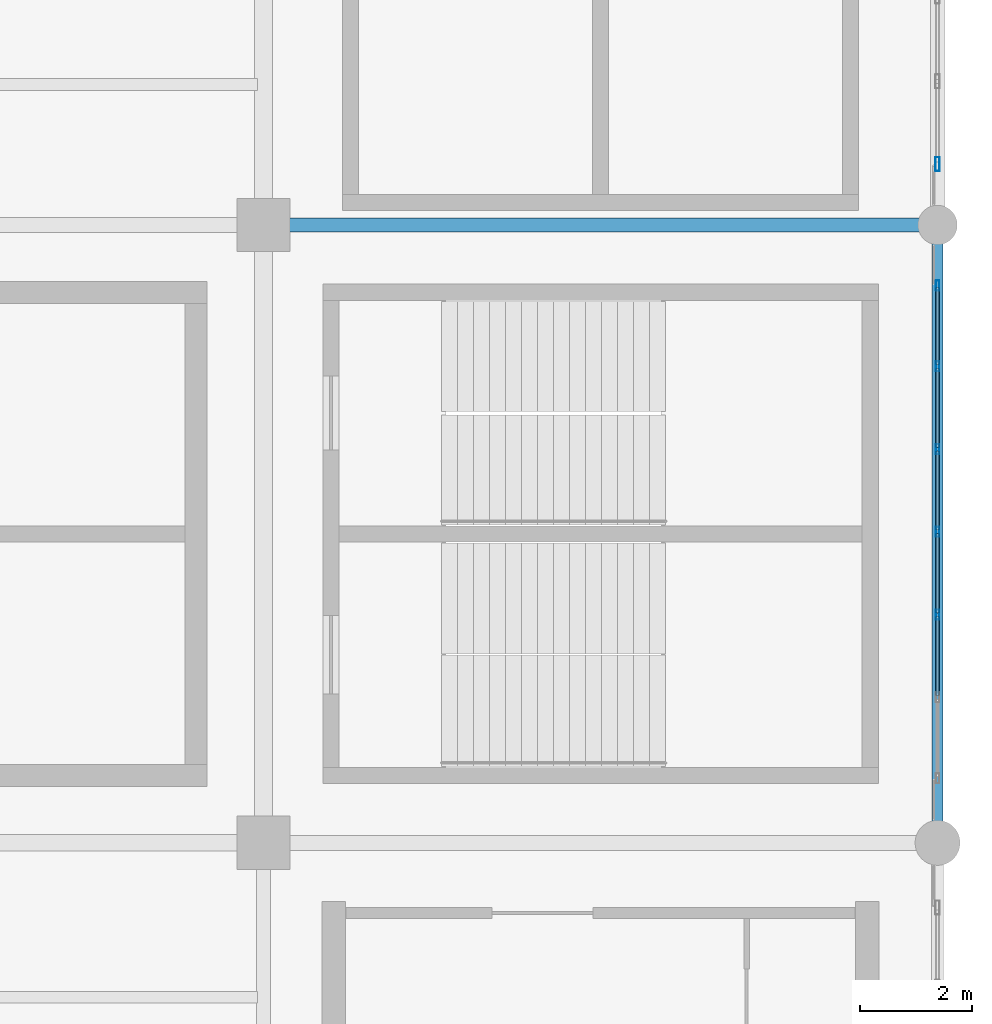
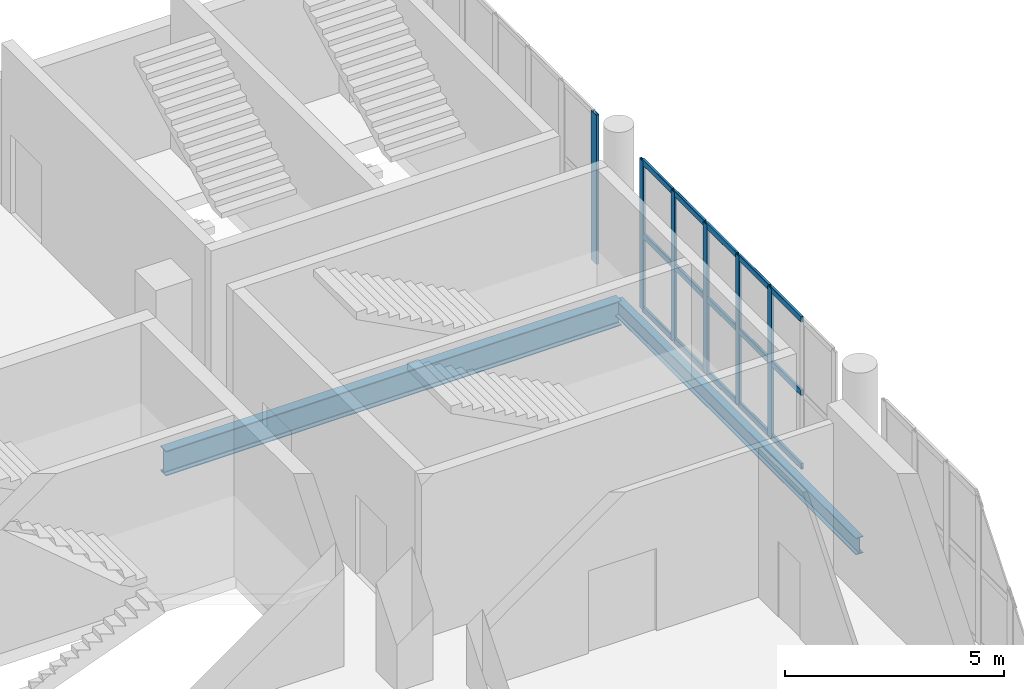
# One storey, part 48 of 90: 21 members, 2 beams, 2 elements without a shape of their own.
"""IFC4 building model written with IfcOpenShell, lengths in metres."""

from ifc_helpers import new_model, si_unit, direction, frame, origin, origin_2d, place, context, subcontext, project, spatial, hollow_rectangle, i_section, extrude, material, layer, layer_set, material_profile, profile_set, type_object, element, aggregate, save


model = new_model("IFC4")

# Units and contexts
model_context = context("Model", 3, precision=1e-05, world=origin(), true_north=direction((0.0, 1.0)))
body_context = subcontext(model_context, "Body", "Model", "MODEL_VIEW")
ifc_project = project(units=[si_unit("LENGTHUNIT", "METRE"), si_unit("AREAUNIT", "SQUARE_METRE"), si_unit("VOLUMEUNIT", "CUBIC_METRE"), si_unit("PLANEANGLEUNIT", "RADIAN"), si_unit("MASSUNIT", "GRAM", prefix="KILO")], contexts=[model_context])

# Site, building, storey
site_placement = place(None, origin())
site = spatial("IfcSite", under=ifc_project, at=site_placement, CompositionType="ELEMENT")
building_placement = place(site_placement, origin())
building = spatial("IfcBuilding", under=site, at=building_placement, Name="Brinegate Civic Arena", CompositionType="ELEMENT")
storey_placement = place(building_placement, frame((0.0, 0.0, 14.699951171875)))
storey = spatial("IfcBuildingStorey", under=building, at=storey_placement, Name="L03", CompositionType="ELEMENT", Elevation=14.699951171875)

# Curtain wall, members
ifc_material_1 = material(Name="Marine grade aluminium", Category="aluminium")
ifc_layer = layer(ifc_material_1, 0.199951171875, Name="Marine grade aluminium")
ifc_layer_set = layer_set([ifc_layer], Name="Marine grade aluminium")
curtain_wall_type = type_object("IfcCurtainWallType", Name="CW-BOWL-GLAZED-01", PredefinedType="USERDEFINED", material=ifc_layer_set)
curtain_wall_1_placement = place(storey_placement, origin())
curtain_wall_1 = element("IfcCurtainWall", 1, at=curtain_wall_1_placement, inside=storey, type_object=curtain_wall_type, Name="Curtain Wall CWA-120", ObjectType="GLAZED CURTAIN WALL", PredefinedType="USERDEFINED")
ifc_material_profile_1 = material_profile(ifc_material_1, hollow_rectangle(XDim=0.06494140625, YDim=0.179931640625, WallThickness=0.0048828125, InnerFilletRadius=0.00390625, OuterFilletRadius=0.008056640625, at=origin_2d()), Name="MUL65X180")
ifc_profile_set_1 = profile_set([ifc_material_profile_1], Name="Marine grade aluminium")
member_type_1 = type_object("IfcMemberType", Name="CW-MULLION-65X180", PredefinedType="MULLION", material=ifc_profile_set_1)
member_1_placement = place(storey_placement, frame((168.0, 97.062255859375, 0.0), z_axis=(0.0, 0.0, 1.0), x_axis=(-1.0, 0.0, 0.0)))
member_1 = element("IfcMember", 2, at=member_1_placement, type_object=member_type_1, Name="CWA-120 mullion 3", PredefinedType="MULLION", context=body_context, shape_type="SweptSolid", body=[
    extrude(hollow_rectangle(XDim=0.06494140625, YDim=0.179931640625, WallThickness=0.0048828125, InnerFilletRadius=0.00390625, OuterFilletRadius=0.008056640625, at=origin_2d()), origin(), (0.0, 0.0, 1.0), 4.16015625),
])
member_2_placement = place(storey_placement, frame((168.0, 98.535400390625, 0.0), z_axis=(0.0, 0.0, 1.0), x_axis=(-1.0, 0.0, 0.0)))
member_2 = element("IfcMember", 3, at=member_2_placement, type_object=member_type_1, Name="CWA-120 mullion 4", PredefinedType="MULLION", context=body_context, shape_type="SweptSolid", body=[
    extrude(hollow_rectangle(XDim=0.06494140625, YDim=0.179931640625, WallThickness=0.0048828125, InnerFilletRadius=0.00390625, OuterFilletRadius=0.008056640625, at=origin_2d()), origin(), (0.0, 0.0, 1.0), 4.16015625),
])
member_3_placement = place(storey_placement, frame((168.0, 100.008544921875, 0.0), z_axis=(0.0, 0.0, 1.0), x_axis=(-1.0, 0.0, 0.0)))
member_3 = element("IfcMember", 4, at=member_3_placement, type_object=member_type_1, Name="CWA-120 mullion 5", PredefinedType="MULLION", context=body_context, shape_type="SweptSolid", body=[
    extrude(hollow_rectangle(XDim=0.06494140625, YDim=0.179931640625, WallThickness=0.0048828125, InnerFilletRadius=0.00390625, OuterFilletRadius=0.008056640625, at=origin_2d()), origin(), (0.0, 0.0, 1.0), 4.16015625),
])
member_4_placement = place(storey_placement, frame((168.0, 101.48193359375, 0.0), z_axis=(0.0, 0.0, 1.0), x_axis=(-1.0, 0.0, 0.0)))
member_4 = element("IfcMember", 5, at=member_4_placement, type_object=member_type_1, Name="CWA-120 mullion 6", PredefinedType="MULLION", context=body_context, shape_type="SweptSolid", body=[
    extrude(hollow_rectangle(XDim=0.06494140625, YDim=0.179931640625, WallThickness=0.0048828125, InnerFilletRadius=0.00390625, OuterFilletRadius=0.008056640625, at=origin_2d()), origin(), (0.0, 0.0, 1.0), 4.16015625),
])
member_5_placement = place(storey_placement, frame((168.0, 102.922607421875, 0.0), z_axis=(0.0, 0.0, 1.0), x_axis=(-1.0, 0.0, 0.0)))
member_5 = element("IfcMember", 6, at=member_5_placement, type_object=member_type_1, Name="CWA-120 mullion 7", PredefinedType="MULLION", context=body_context, shape_type="SweptSolid", body=[
    extrude(hollow_rectangle(XDim=0.06494140625, YDim=0.179931640625, WallThickness=0.0048828125, InnerFilletRadius=0.00390625, OuterFilletRadius=0.008056640625, at=origin_2d()), origin(), (0.0, 0.0, 1.0), 4.16015625),
])

# Curtain wall, member
curtain_wall_2_placement = place(storey_placement, origin())
curtain_wall_2 = element("IfcCurtainWall", 7, at=curtain_wall_2_placement, inside=storey, type_object=curtain_wall_type, Name="Curtain Wall CWA-122", ObjectType="GLAZED CURTAIN WALL", PredefinedType="USERDEFINED")
ifc_material_profile_2 = material_profile(ifc_material_1, hollow_rectangle(XDim=0.074951171875, YDim=0.25, WallThickness=0.006103515625, InnerFilletRadius=0.00390625, OuterFilletRadius=0.008056640625, at=origin_2d()), Name="MUL75X250")
ifc_profile_set_2 = profile_set([ifc_material_profile_2], Name="Marine grade aluminium")
member_type_2 = type_object("IfcMemberType", Name="CW-MULLION-75X250", PredefinedType="MULLION", material=ifc_profile_set_2)
member_6_placement = place(storey_placement, frame((168.0, 105.08251953125, 0.0), z_axis=(0.0, 0.0, 1.0), x_axis=(-1.0, 0.0, 0.0)))
member_6 = element("IfcMember", 8, at=member_6_placement, type_object=member_type_2, Name="CWA-122 mullion 1", PredefinedType="MULLION", context=body_context, shape_type="SweptSolid", body=[
    extrude(hollow_rectangle(XDim=0.074951171875, YDim=0.25, WallThickness=0.006103515625, InnerFilletRadius=0.00390625, OuterFilletRadius=0.008056640625, at=origin_2d()), origin(), (0.0, 0.0, 1.0), 4.16015625),
])
aggregate(curtain_wall_2, [member_6])

# Member
ifc_material_profile_3 = material_profile(ifc_material_1, hollow_rectangle(XDim=0.06494140625, YDim=0.1650390625, WallThickness=0.0048828125, InnerFilletRadius=0.00390625, OuterFilletRadius=0.008056640625, at=origin_2d()), Name="TRN65X165")
ifc_profile_set_3 = profile_set([ifc_material_profile_3], Name="Marine grade aluminium")
member_type_3 = type_object("IfcMemberType", Name="CW-TRANSOM-65X165", PredefinedType="USERDEFINED", material=ifc_profile_set_3)
member_7_placement = place(storey_placement, frame((168.0, 95.62158203125, 0.032470703125), z_axis=(0.0, 1.0, 0.0), x_axis=(-1.0, 0.0, 0.0)))
member_7 = element("IfcMember", 9, at=member_7_placement, type_object=member_type_3, Name="CWA-120 transom 2.1", ObjectType="TRANSOM", PredefinedType="USERDEFINED", context=body_context, shape_type="SweptSolid", body=[
    extrude(hollow_rectangle(XDim=0.06494140625, YDim=0.1650390625, WallThickness=0.0048828125, InnerFilletRadius=0.00390625, OuterFilletRadius=0.008056640625, at=origin_2d()), origin(), (0.0, 0.0, 1.0), 1.408203125),
])

member_8_placement = place(storey_placement, frame((168.0, 95.62158203125, 2.080078125), z_axis=(0.0, 1.0, 0.0), x_axis=(-1.0, 0.0, 0.0)))
member_8 = element("IfcMember", 10, at=member_8_placement, type_object=member_type_3, Name="CWA-120 transom 2.2", ObjectType="TRANSOM", PredefinedType="USERDEFINED", context=body_context, shape_type="SweptSolid", body=[
    extrude(hollow_rectangle(XDim=0.06494140625, YDim=0.1650390625, WallThickness=0.0048828125, InnerFilletRadius=0.00390625, OuterFilletRadius=0.008056640625, at=origin_2d()), origin(), (0.0, 0.0, 1.0), 1.408203125),
])

member_9_placement = place(storey_placement, frame((168.0, 95.62158203125, 4.12744140625), z_axis=(0.0, 1.0, 0.0), x_axis=(-1.0, 0.0, 0.0)))
member_9 = element("IfcMember", 11, at=member_9_placement, type_object=member_type_3, Name="CWA-120 transom 2.3", ObjectType="TRANSOM", PredefinedType="USERDEFINED", context=body_context, shape_type="SweptSolid", body=[
    extrude(hollow_rectangle(XDim=0.06494140625, YDim=0.1650390625, WallThickness=0.0048828125, InnerFilletRadius=0.00390625, OuterFilletRadius=0.008056640625, at=origin_2d()), origin(), (0.0, 0.0, 1.0), 1.408203125),
])

member_10_placement = place(storey_placement, frame((168.0, 97.0947265625, 0.032470703125), z_axis=(0.0, 1.0, 0.0), x_axis=(-1.0, 0.0, 0.0)))
member_10 = element("IfcMember", 12, at=member_10_placement, type_object=member_type_3, Name="CWA-120 transom 3.1", ObjectType="TRANSOM", PredefinedType="USERDEFINED", context=body_context, shape_type="SweptSolid", body=[
    extrude(hollow_rectangle(XDim=0.06494140625, YDim=0.1650390625, WallThickness=0.0048828125, InnerFilletRadius=0.00390625, OuterFilletRadius=0.008056640625, at=origin_2d()), origin(), (0.0, 0.0, 1.0), 1.408203125),
])

member_11_placement = place(storey_placement, frame((168.0, 97.0947265625, 2.080078125), z_axis=(0.0, 1.0, 0.0), x_axis=(-1.0, 0.0, 0.0)))
member_11 = element("IfcMember", 13, at=member_11_placement, type_object=member_type_3, Name="CWA-120 transom 3.2", ObjectType="TRANSOM", PredefinedType="USERDEFINED", context=body_context, shape_type="SweptSolid", body=[
    extrude(hollow_rectangle(XDim=0.06494140625, YDim=0.1650390625, WallThickness=0.0048828125, InnerFilletRadius=0.00390625, OuterFilletRadius=0.008056640625, at=origin_2d()), origin(), (0.0, 0.0, 1.0), 1.408203125),
])

member_12_placement = place(storey_placement, frame((168.0, 97.0947265625, 4.12744140625), z_axis=(0.0, 1.0, 0.0), x_axis=(-1.0, 0.0, 0.0)))
member_12 = element("IfcMember", 14, at=member_12_placement, type_object=member_type_3, Name="CWA-120 transom 3.3", ObjectType="TRANSOM", PredefinedType="USERDEFINED", context=body_context, shape_type="SweptSolid", body=[
    extrude(hollow_rectangle(XDim=0.06494140625, YDim=0.1650390625, WallThickness=0.0048828125, InnerFilletRadius=0.00390625, OuterFilletRadius=0.008056640625, at=origin_2d()), origin(), (0.0, 0.0, 1.0), 1.408203125),
])

member_13_placement = place(storey_placement, frame((168.0, 98.568115234375, 0.032470703125), z_axis=(0.0, 1.0, 0.0), x_axis=(-1.0, 0.0, 0.0)))
member_13 = element("IfcMember", 15, at=member_13_placement, type_object=member_type_3, Name="CWA-120 transom 4.1", ObjectType="TRANSOM", PredefinedType="USERDEFINED", context=body_context, shape_type="SweptSolid", body=[
    extrude(hollow_rectangle(XDim=0.06494140625, YDim=0.1650390625, WallThickness=0.0048828125, InnerFilletRadius=0.00390625, OuterFilletRadius=0.008056640625, at=origin_2d()), origin(), (0.0, 0.0, 1.0), 1.407958984375),
])

member_14_placement = place(storey_placement, frame((168.0, 98.568115234375, 2.080078125), z_axis=(0.0, 1.0, 0.0), x_axis=(-1.0, 0.0, 0.0)))
member_14 = element("IfcMember", 16, at=member_14_placement, type_object=member_type_3, Name="CWA-120 transom 4.2", ObjectType="TRANSOM", PredefinedType="USERDEFINED", context=body_context, shape_type="SweptSolid", body=[
    extrude(hollow_rectangle(XDim=0.06494140625, YDim=0.1650390625, WallThickness=0.0048828125, InnerFilletRadius=0.00390625, OuterFilletRadius=0.008056640625, at=origin_2d()), origin(), (0.0, 0.0, 1.0), 1.407958984375),
])

member_15_placement = place(storey_placement, frame((168.0, 98.568115234375, 4.12744140625), z_axis=(0.0, 1.0, 0.0), x_axis=(-1.0, 0.0, 0.0)))
member_15 = element("IfcMember", 17, at=member_15_placement, type_object=member_type_3, Name="CWA-120 transom 4.3", ObjectType="TRANSOM", PredefinedType="USERDEFINED", context=body_context, shape_type="SweptSolid", body=[
    extrude(hollow_rectangle(XDim=0.06494140625, YDim=0.1650390625, WallThickness=0.0048828125, InnerFilletRadius=0.00390625, OuterFilletRadius=0.008056640625, at=origin_2d()), origin(), (0.0, 0.0, 1.0), 1.407958984375),
])

member_16_placement = place(storey_placement, frame((168.0, 100.041259765625, 0.032470703125), z_axis=(0.0, 1.0, 0.0), x_axis=(-1.0, 0.0, 0.0)))
member_16 = element("IfcMember", 18, at=member_16_placement, type_object=member_type_3, Name="CWA-120 transom 5.1", ObjectType="TRANSOM", PredefinedType="USERDEFINED", context=body_context, shape_type="SweptSolid", body=[
    extrude(hollow_rectangle(XDim=0.06494140625, YDim=0.1650390625, WallThickness=0.0048828125, InnerFilletRadius=0.00390625, OuterFilletRadius=0.008056640625, at=origin_2d()), origin(), (0.0, 0.0, 1.0), 1.407958984375),
])

member_17_placement = place(storey_placement, frame((168.0, 100.041259765625, 2.080078125), z_axis=(0.0, 1.0, 0.0), x_axis=(-1.0, 0.0, 0.0)))
member_17 = element("IfcMember", 19, at=member_17_placement, type_object=member_type_3, Name="CWA-120 transom 5.2", ObjectType="TRANSOM", PredefinedType="USERDEFINED", context=body_context, shape_type="SweptSolid", body=[
    extrude(hollow_rectangle(XDim=0.06494140625, YDim=0.1650390625, WallThickness=0.0048828125, InnerFilletRadius=0.00390625, OuterFilletRadius=0.008056640625, at=origin_2d()), origin(), (0.0, 0.0, 1.0), 1.407958984375),
])

member_18_placement = place(storey_placement, frame((168.0, 100.041259765625, 4.12744140625), z_axis=(0.0, 1.0, 0.0), x_axis=(-1.0, 0.0, 0.0)))
member_18 = element("IfcMember", 20, at=member_18_placement, type_object=member_type_3, Name="CWA-120 transom 5.3", ObjectType="TRANSOM", PredefinedType="USERDEFINED", context=body_context, shape_type="SweptSolid", body=[
    extrude(hollow_rectangle(XDim=0.06494140625, YDim=0.1650390625, WallThickness=0.0048828125, InnerFilletRadius=0.00390625, OuterFilletRadius=0.008056640625, at=origin_2d()), origin(), (0.0, 0.0, 1.0), 1.407958984375),
])

member_19_placement = place(storey_placement, frame((168.0, 101.514404296875, 0.032470703125), z_axis=(0.0, 1.0, 0.0), x_axis=(-1.0, 0.0, 0.0)))
member_19 = element("IfcMember", 21, at=member_19_placement, type_object=member_type_3, Name="CWA-120 transom 6.1", ObjectType="TRANSOM", PredefinedType="USERDEFINED", context=body_context, shape_type="SweptSolid", body=[
    extrude(hollow_rectangle(XDim=0.06494140625, YDim=0.1650390625, WallThickness=0.0048828125, InnerFilletRadius=0.00390625, OuterFilletRadius=0.008056640625, at=origin_2d()), origin(), (0.0, 0.0, 1.0), 1.37548828125),
])

member_20_placement = place(storey_placement, frame((168.0, 101.514404296875, 2.080078125), z_axis=(0.0, 1.0, 0.0), x_axis=(-1.0, 0.0, 0.0)))
member_20 = element("IfcMember", 22, at=member_20_placement, type_object=member_type_3, Name="CWA-120 transom 6.2", ObjectType="TRANSOM", PredefinedType="USERDEFINED", context=body_context, shape_type="SweptSolid", body=[
    extrude(hollow_rectangle(XDim=0.06494140625, YDim=0.1650390625, WallThickness=0.0048828125, InnerFilletRadius=0.00390625, OuterFilletRadius=0.008056640625, at=origin_2d()), origin(), (0.0, 0.0, 1.0), 1.37548828125),
])

member_21_placement = place(storey_placement, frame((168.0, 101.514404296875, 4.12744140625), z_axis=(0.0, 1.0, 0.0), x_axis=(-1.0, 0.0, 0.0)))
member_21 = element("IfcMember", 23, at=member_21_placement, type_object=member_type_3, Name="CWA-120 transom 6.3", ObjectType="TRANSOM", PredefinedType="USERDEFINED", context=body_context, shape_type="SweptSolid", body=[
    extrude(hollow_rectangle(XDim=0.06494140625, YDim=0.1650390625, WallThickness=0.0048828125, InnerFilletRadius=0.00390625, OuterFilletRadius=0.008056640625, at=origin_2d()), origin(), (0.0, 0.0, 1.0), 1.37548828125),
])

aggregate(curtain_wall_1, [member_1, member_2, member_3, member_4, member_5, member_7, member_8, member_9, member_10, member_11, member_12, member_13, member_14, member_15, member_16, member_17, member_18, member_19, member_20, member_21])

# Beams
ifc_material_2 = material(Name="Steel S355", Category="steel")
ifc_material_profile_4 = material_profile(ifc_material_2, i_section(OverallWidth=0.256103515625, OverallDepth=0.693115234375, WebThickness=0.014892578125, FlangeThickness=0.02392578125, FilletRadius=0.01806640625, at=origin_2d()), Name="W690X170")
ifc_profile_set_4 = profile_set([ifc_material_profile_4], Name="Steel S355")
beam_type_1 = type_object("IfcBeamType", Name="GIRDER-W690X170", PredefinedType="BEAM", material=ifc_profile_set_4)
beam_1_placement = place(storey_placement, frame((156.0, 104.0, -0.696044921875), z_axis=(1.0, 0.0, 0.0), x_axis=(0.0, 1.0, 0.0)))
element("IfcBeam", 24, at=beam_1_placement, inside=storey, type_object=beam_type_1, Name="Floor Girder BM-L03-GX-13-10", PredefinedType="BEAM", context=body_context, shape_type="SweptSolid", body=[
    extrude(i_section(OverallWidth=0.256103515625, OverallDepth=0.693115234375, WebThickness=0.014892578125, FlangeThickness=0.02392578125, FilletRadius=0.01806640625, at=origin_2d()), origin(), (0.0, 0.0, 1.0), 12.0),
])
ifc_material_profile_5 = material_profile(ifc_material_2, i_section(OverallWidth=0.193115234375, OverallDepth=0.466064453125, WebThickness=0.010986328125, FlangeThickness=0.01904296875, FilletRadius=0.014892578125, at=origin_2d()), Name="W460X97")
ifc_profile_set_5 = profile_set([ifc_material_profile_5], Name="Steel S355")
beam_type_2 = type_object("IfcBeamType", Name="SPANDREL-W460X97", PredefinedType="SPANDREL", material=ifc_profile_set_5)
beam_2_placement = place(storey_placement, frame((168.0, 93.0, -0.5830078125), z_axis=(0.0, 1.0, 0.0), x_axis=(-1.0, 0.0, 0.0)))
element("IfcBeam", 25, at=beam_2_placement, inside=storey, type_object=beam_type_2, Name="Floor Girder BM-L03-GY-14-09", PredefinedType="SPANDREL", context=body_context, shape_type="SweptSolid", body=[
    extrude(i_section(OverallWidth=0.193115234375, OverallDepth=0.466064453125, WebThickness=0.010986328125, FlangeThickness=0.01904296875, FilletRadius=0.014892578125, at=origin_2d()), origin(), (0.0, 0.0, 1.0), 11.0),
])

save(model, "model.ifc")
